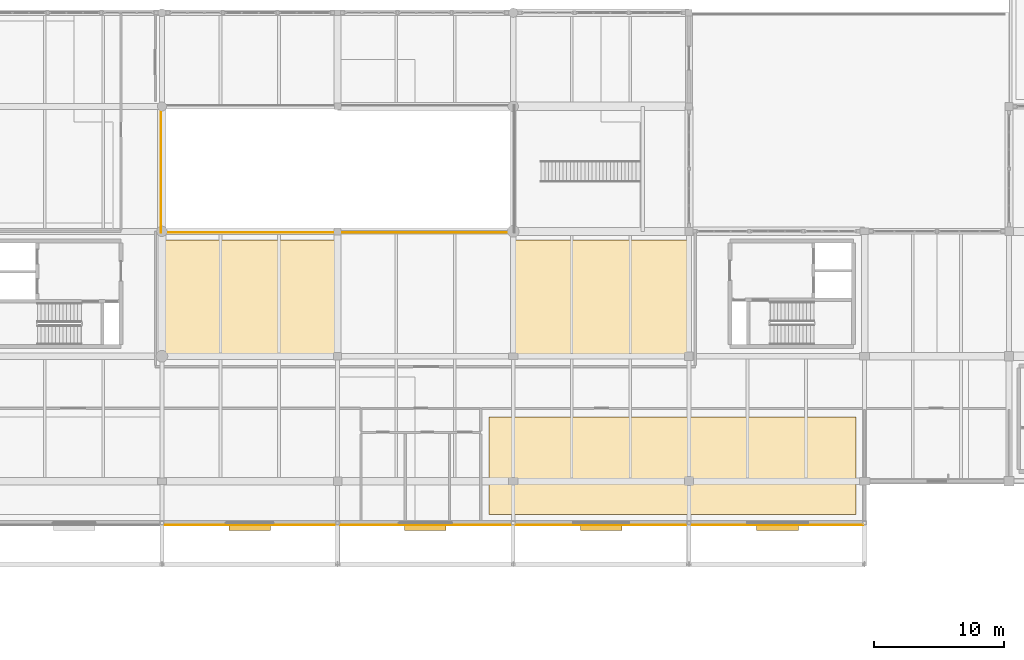
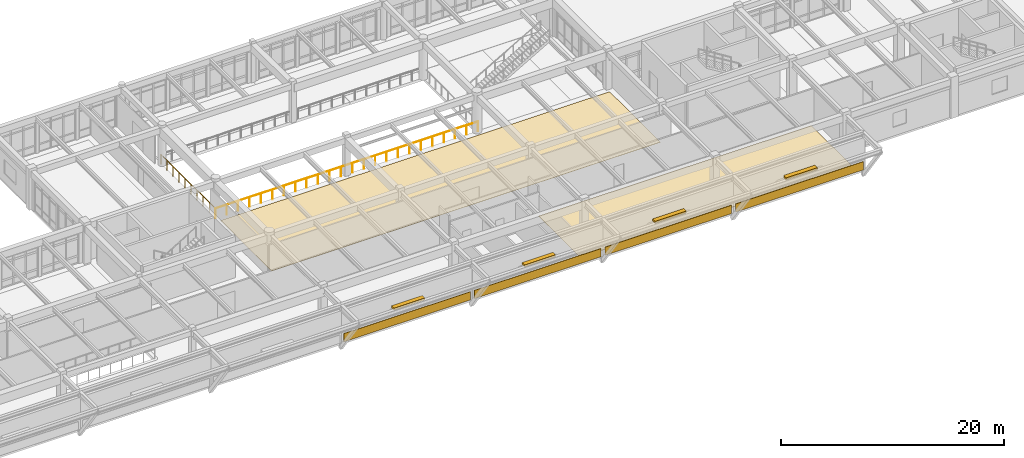
# One storey, part 103 of 109: 6 coverings, 4 shading devices, 2 railings.
"""IFC4 building model written with IfcOpenShell, lengths in metres."""

from ifc_helpers import new_model, si_unit, direction, frame, origin, origin_2d, place, context, subcontext, project, spatial, polyline, rectangle, circle, outline, extrude, material, layer, layer_set, type_object, element, save


model = new_model("IFC4")

# Units and contexts
model_context = context("Model", 3, precision=1e-05, world=origin(), true_north=direction((0.0, 1.0)))
body_context = subcontext(model_context, "Body", "Model", "MODEL_VIEW")
ifc_project = project(units=[si_unit("LENGTHUNIT", "METRE"), si_unit("AREAUNIT", "SQUARE_METRE"), si_unit("VOLUMEUNIT", "CUBIC_METRE"), si_unit("PLANEANGLEUNIT", "RADIAN"), si_unit("MASSUNIT", "GRAM", prefix="KILO")], contexts=[model_context])

# Site, building, storey
site_placement = place(None, origin())
site = spatial("IfcSite", under=ifc_project, at=site_placement, CompositionType="ELEMENT")
building_placement = place(site_placement, origin())
building = spatial("IfcBuilding", under=site, at=building_placement, Name="Fikremerkos Civic Library", CompositionType="ELEMENT")
storey_placement = place(building_placement, frame((0.0, 0.0, 5.39990234375)))
storey = spatial("IfcBuildingStorey", under=building, at=storey_placement, Name="L01", CompositionType="ELEMENT", Elevation=5.39990234375)

# Shading devices
ifc_material_1 = material(Name="Bronze anodized aluminium", Category="aluminium")
shading_device_type = type_object("IfcShadingDeviceType", Name="Horizontal sun-control louvre bank SHD-01", PredefinedType="JALOUSIE", material=ifc_material_1)
for number, where, z_axis, x_axis, name in (
    (1, (107.006103515625, 8.419921875, 2.0703125), (0.0, 0.0, 1.0), (1.0, 0.0, 0.0), "Sun-control louvre hood SHD-01 L01 #23"),
    (2, (93.449951171875, 8.419921875, 2.0703125), (0.0, 0.0, 1.0), (1.0, 0.0, 0.0), "Sun-control louvre hood SHD-01 L01 #24"),
    (3, (79.949951171875, 8.419921875, 2.02001953125), (0.0, 0.0, 1.0), (1.0, 0.0, 0.0), "Sun-control louvre hood SHD-01 L01 #25"),
    (4, (66.449951171875, 8.419921875, 2.02001953125), (0.0, 0.0, 1.0), (1.0, 0.0, 0.0), "Sun-control louvre hood SHD-01 L01 #26"),
):
    element("IfcShadingDevice", number, at=place(storey_placement, frame(where, z_axis=z_axis, x_axis=x_axis)), inside=storey, type_object=shading_device_type, Name=name, PredefinedType="JALOUSIE", context=body_context, shape_type="SweptSolid", body=[
        extrude(rectangle(XDim=3.199951171875, YDim=0.449951171875, at=origin_2d()), origin(), (0.0, 0.0, 1.0), 0.219970703125),
    ])

# Railings
ifc_material_2 = material(Name="Painted Steel S275", Category="steel")
railing_type = type_object("IfcRailingType", Name="Interior balustrade guard RLG-INT 1100", PredefinedType="BALUSTRADE", material=ifc_material_2)
railing_1_placement = place(storey_placement, frame((59.6201171875, 31.1201171875, 0.0)))
element("IfcRailing", 5, at=railing_1_placement, inside=storey, type_object=railing_type, Name="Atrium void balustrade guard L01 S", PredefinedType="BALUSTRADE", context=body_context, shape_type="SweptSolid", body=[
    extrude(circle(Radius=0.02392578125, at=origin_2d()), frame((0.0, 0.0, 1.076171875), z_axis=(1.0, 0.0, 0.0), x_axis=(0.0, 1.0, 0.0)), (0.0, 0.0, 1.0), 27.159912109375),
    extrude(circle(Radius=0.02099609375, at=origin_2d()), origin(), (0.0, 0.0, 1.0), 1.052001953125),
    extrude(circle(Radius=0.02099609375, at=origin_2d()), frame((1.180908203125, 0.0, 0.0)), (0.0, 0.0, 1.0), 1.052001953125),
    extrude(circle(Radius=0.02099609375, at=origin_2d()), frame((2.36181640625, 0.0, 0.0)), (0.0, 0.0, 1.0), 1.052001953125),
    extrude(circle(Radius=0.02099609375, at=origin_2d()), frame((3.54248046875, 0.0, 0.0)), (0.0, 0.0, 1.0), 1.052001953125),
    extrude(circle(Radius=0.02099609375, at=origin_2d()), frame((4.723388671875, 0.0, 0.0)), (0.0, 0.0, 1.0), 1.052001953125),
    extrude(circle(Radius=0.02099609375, at=origin_2d()), frame((5.904296875, 0.0, 0.0)), (0.0, 0.0, 1.0), 1.052001953125),
    extrude(circle(Radius=0.02099609375, at=origin_2d()), frame((7.085205078125, 0.0, 0.0)), (0.0, 0.0, 1.0), 1.052001953125),
    extrude(circle(Radius=0.02099609375, at=origin_2d()), frame((8.26611328125, 0.0, 0.0)), (0.0, 0.0, 1.0), 1.052001953125),
    extrude(circle(Radius=0.02099609375, at=origin_2d()), frame((9.447021484375, 0.0, 0.0)), (0.0, 0.0, 1.0), 1.052001953125),
    extrude(circle(Radius=0.02099609375, at=origin_2d()), frame((10.627685546875, 0.0, 0.0)), (0.0, 0.0, 1.0), 1.052001953125),
    extrude(circle(Radius=0.02099609375, at=origin_2d()), frame((11.80859375, 0.0, 0.0)), (0.0, 0.0, 1.0), 1.052001953125),
    extrude(circle(Radius=0.02099609375, at=origin_2d()), frame((12.989501953125, 0.0, 0.0)), (0.0, 0.0, 1.0), 1.052001953125),
    extrude(circle(Radius=0.02099609375, at=origin_2d()), frame((14.17041015625, 0.0, 0.0)), (0.0, 0.0, 1.0), 1.052001953125),
    extrude(circle(Radius=0.02099609375, at=origin_2d()), frame((15.351318359375, 0.0, 0.0)), (0.0, 0.0, 1.0), 1.052001953125),
    extrude(circle(Radius=0.02099609375, at=origin_2d()), frame((16.5322265625, 0.0, 0.0)), (0.0, 0.0, 1.0), 1.052001953125),
    extrude(circle(Radius=0.02099609375, at=origin_2d()), frame((17.712890625, 0.0, 0.0)), (0.0, 0.0, 1.0), 1.052001953125),
    extrude(circle(Radius=0.02099609375, at=origin_2d()), frame((18.893798828125, 0.0, 0.0)), (0.0, 0.0, 1.0), 1.052001953125),
    extrude(circle(Radius=0.02099609375, at=origin_2d()), frame((20.07470703125, 0.0, 0.0)), (0.0, 0.0, 1.0), 1.052001953125),
    extrude(circle(Radius=0.02099609375, at=origin_2d()), frame((21.255615234375, 0.0, 0.0)), (0.0, 0.0, 1.0), 1.052001953125),
    extrude(circle(Radius=0.02099609375, at=origin_2d()), frame((22.4365234375, 0.0, 0.0)), (0.0, 0.0, 1.0), 1.052001953125),
    extrude(circle(Radius=0.02099609375, at=origin_2d()), frame((23.617431640625, 0.0, 0.0)), (0.0, 0.0, 1.0), 1.052001953125),
    extrude(circle(Radius=0.02099609375, at=origin_2d()), frame((24.798095703125, 0.0, 0.0)), (0.0, 0.0, 1.0), 1.052001953125),
    extrude(circle(Radius=0.02099609375, at=origin_2d()), frame((25.97900390625, 0.0, 0.0)), (0.0, 0.0, 1.0), 1.052001953125),
    extrude(circle(Radius=0.02099609375, at=origin_2d()), frame((27.159912109375, 0.0, 0.0)), (0.0, 0.0, 1.0), 1.052001953125),
])
railing_2_placement = place(storey_placement, frame((59.6201171875, 31.1201171875, 0.0)))
element("IfcRailing", 6, at=railing_2_placement, inside=storey, type_object=railing_type, Name="Atrium void balustrade guard L01 W", PredefinedType="BALUSTRADE", context=body_context, shape_type="SweptSolid", body=[
    extrude(circle(Radius=0.02392578125, at=origin_2d()), frame((0.0, 0.0, 1.076171875), z_axis=(0.0, 1.0, 0.0), x_axis=(-1.0, 0.0, 0.0)), (0.0, 0.0, 1.0), 9.759765625),
    extrude(circle(Radius=0.02099609375, at=origin_2d()), origin(), (0.0, 0.0, 1.0), 1.052001953125),
    extrude(circle(Radius=0.02099609375, at=origin_2d()), frame((0.0, 1.08447265625, 0.0)), (0.0, 0.0, 1.0), 1.052001953125),
    extrude(circle(Radius=0.02099609375, at=origin_2d()), frame((0.0, 2.1689453125, 0.0)), (0.0, 0.0, 1.0), 1.052001953125),
    extrude(circle(Radius=0.02099609375, at=origin_2d()), frame((0.0, 3.253173828125, 0.0)), (0.0, 0.0, 1.0), 1.052001953125),
    extrude(circle(Radius=0.02099609375, at=origin_2d()), frame((0.0, 4.337646484375, 0.0)), (0.0, 0.0, 1.0), 1.052001953125),
    extrude(circle(Radius=0.02099609375, at=origin_2d()), frame((0.0, 5.422119140625, 0.0)), (0.0, 0.0, 1.0), 1.052001953125),
    extrude(circle(Radius=0.02099609375, at=origin_2d()), frame((0.0, 6.506591796875, 0.0)), (0.0, 0.0, 1.0), 1.052001953125),
    extrude(circle(Radius=0.02099609375, at=origin_2d()), frame((0.0, 7.5908203125, 0.0)), (0.0, 0.0, 1.0), 1.052001953125),
    extrude(circle(Radius=0.02099609375, at=origin_2d()), frame((0.0, 8.67529296875, 0.0)), (0.0, 0.0, 1.0), 1.052001953125),
    extrude(circle(Radius=0.02099609375, at=origin_2d()), frame((0.0, 9.759765625, 0.0)), (0.0, 0.0, 1.0), 1.052001953125),
])

# Coverings
ifc_material_3 = material(Name="Polished basalt terrazzo", Category="masonry")
ifc_layer_1 = layer(ifc_material_3, 0.030029296875, Name="Polished basalt terrazzo")
ifc_layer_set_1 = layer_set([ifc_layer_1], Name="Polished basalt terrazzo")
covering_type_1 = type_object("IfcCoveringType", Name="Polished basalt terrazzo flooring FLR-01", PredefinedType="FLOORING", material=ifc_layer_set_1)
covering_1_placement = place(storey_placement, origin())
element("IfcCovering", 7, at=covering_1_placement, inside=storey, type_object=covering_type_1, Name="Terrazzo floor finish Literature and Languages Reading Room", PredefinedType="FLOORING", context=body_context, shape_type="SweptSolid", body=[
    extrude(outline(polyline([(113.050048828125, 16.949951171875), (113.050048828125, 9.449951171875), (84.85009765625, 9.449951171875), (84.85009765625, 16.949951171875), (113.050048828125, 16.949951171875)])), origin(), (0.0, 0.0, 1.0), 0.030029296875),
])
covering_2_placement = place(storey_placement, origin())
element("IfcCovering", 8, at=covering_2_placement, inside=storey, type_object=covering_type_1, Name="Terrazzo floor finish Open Book Stacks Humanities", PredefinedType="FLOORING", context=body_context, shape_type="SweptSolid", body=[
    extrude(outline(polyline([(100.050048828125, 30.550048828125), (100.050048828125, 21.449951171875), (59.85009765625, 21.449951171875), (59.85009765625, 30.550048828125), (100.050048828125, 30.550048828125)])), origin(), (0.0, 0.0, 1.0), 0.030029296875),
])
ifc_material_4 = material(Name="Precast concrete C40/50", Category="concrete")
ifc_layer_2 = layer(ifc_material_4, 0.044921875, Name="Precast concrete C40/50")
ifc_layer_set_2 = layer_set([ifc_layer_2], Name="Precast concrete C40/50")
covering_type_2 = type_object("IfcCoveringType", Name="Precast basalt facade cladding CLD-01", PredefinedType="CLADDING", material=ifc_layer_set_2)
covering_3_placement = place(storey_placement, frame((107.006103515625, 8.617919921875, 0.050048828125), z_axis=(0.0, 0.0, 1.0), x_axis=(1.0, 0.0, 0.0)))
element("IfcCovering", 9, at=covering_3_placement, inside=storey, type_object=covering_type_2, Name="Basalt spandrel cladding CLD-01 L01 #1", PredefinedType="CLADDING", context=body_context, shape_type="SweptSolid", body=[
    extrude(rectangle(XDim=13.2080078125, YDim=0.044921875, at=origin_2d()), origin(), (0.0, 0.0, 1.0), 0.89990234375),
])
for number, where, z_axis, x_axis, name in (
    (10, (93.449951171875, 8.617919921875, 0.050048828125), (0.0, 0.0, 1.0), (1.0, 0.0, 0.0), "Basalt spandrel cladding CLD-01 L01 #2"),
    (11, (79.949951171875, 8.617919921875, 0.050048828125), (0.0, 0.0, 1.0), (1.0, 0.0, 0.0), "Basalt spandrel cladding CLD-01 L01 #3"),
    (12, (66.449951171875, 8.617919921875, 0.050048828125), (0.0, 0.0, 1.0), (1.0, 0.0, 0.0), "Basalt spandrel cladding CLD-01 L01 #4"),
):
    element("IfcCovering", number, at=place(storey_placement, frame(where, z_axis=z_axis, x_axis=x_axis)), inside=storey, type_object=covering_type_2, Name=name, PredefinedType="CLADDING", context=body_context, shape_type="SweptSolid", body=[
        extrude(rectangle(XDim=13.095947265625, YDim=0.044921875, at=origin_2d()), origin(), (0.0, 0.0, 1.0), 0.89990234375),
    ])

save(model, "model.ifc")
